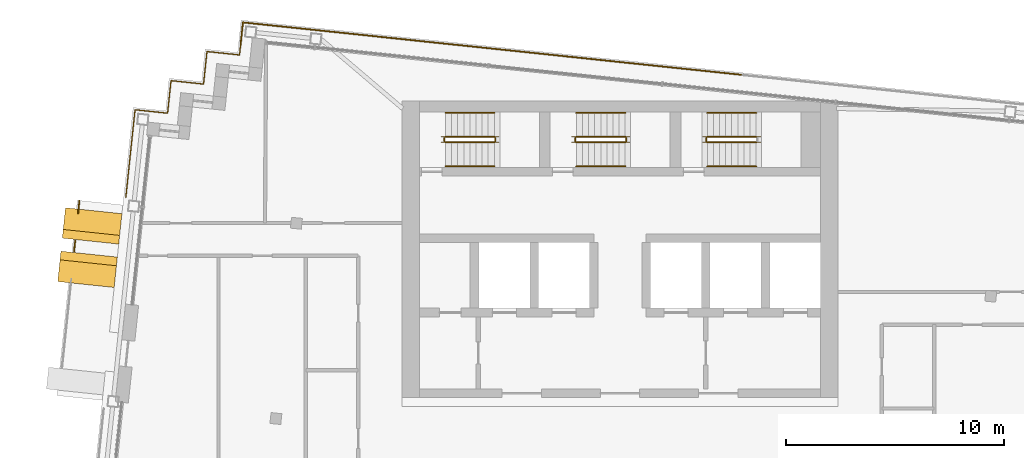
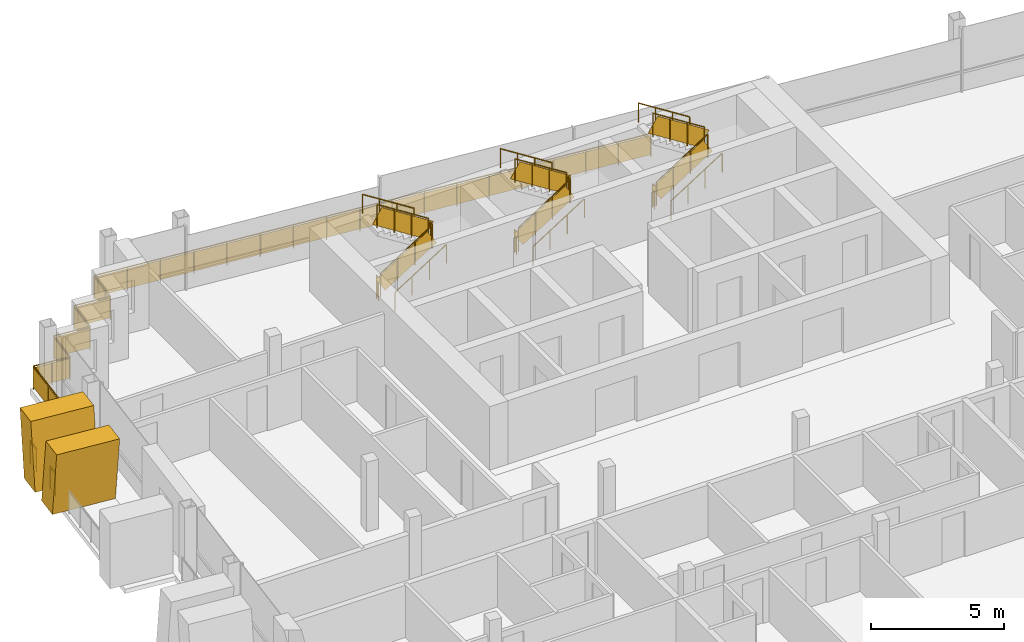
# One storey, part 15 of 16: 22 railings, 2 shading devices.
"""IFC4 building model written with IfcOpenShell, lengths in metres."""

from ifc_helpers import new_model, si_unit, direction, frame, origin, origin_2d, place, context, subcontext, project, spatial, polyline, rectangle, circle, outline, extrude, material, layer, layer_set, type_object, element, save


model = new_model("IFC4")

# Units and contexts
model_context = context("Model", 3, precision=1e-05, world=origin(), true_north=direction((0.0, 1.0)))
body_context = subcontext(model_context, "Body", "Model", "MODEL_VIEW")
ifc_project = project(units=[si_unit("LENGTHUNIT", "METRE"), si_unit("AREAUNIT", "SQUARE_METRE"), si_unit("VOLUMEUNIT", "CUBIC_METRE"), si_unit("PLANEANGLEUNIT", "RADIAN"), si_unit("MASSUNIT", "GRAM", prefix="KILO")], contexts=[model_context])

# Site, building, storey
site_placement = place(None, origin())
site = spatial("IfcSite", under=ifc_project, at=site_placement, CompositionType="ELEMENT")
building_placement = place(site_placement, origin())
building = spatial("IfcBuilding", under=site, at=building_placement, Name="Vidyagriha Tower", CompositionType="ELEMENT")
storey_placement = place(building_placement, frame((0.0, 0.0, 272.300048828125)))
storey = spatial("IfcBuildingStorey", under=building, at=storey_placement, Name="L71", CompositionType="ELEMENT", Elevation=272.300048828125)

# Railings
ifc_material_1 = material(Name="Steel ASTM A500 Grade C black painted", Category="steel")
railing_type_1 = type_object("IfcRailingType", Name="Balcony guard 1100", PredefinedType="BALUSTRADE", material=ifc_material_1)
railing_1_placement = place(storey_placement, frame((-24.7763671875, 15.435302734375, 0.0)))
element("IfcRailing", 1, at=railing_1_placement, inside=storey, type_object=railing_type_1, Name="Balcony guard L71 R14.1-1", PredefinedType="BALUSTRADE", context=body_context, shape_type="SweptSolid", body=[
    extrude(circle(Radius=0.02490234375, at=origin_2d()), frame((0.0, 0.0, 1.0751953125), z_axis=(-0.10472737475, -0.994500968817, 0.0), x_axis=(0.994500968817, -0.10472737475, 0.0)), (0.0, 0.0, 1.0), 0.5966796875),
    extrude(circle(Radius=0.02001953125, at=origin_2d()), origin(), (0.0, 0.0, 1.0), 1.050048828125),
    extrude(circle(Radius=0.02001953125, at=origin_2d()), frame((-0.0625, -0.593505859375, 0.0)), (0.0, 0.0, 1.0), 1.050048828125),
    extrude(rectangle(XDim=0.010009765625, YDim=0.900146484375, at=origin_2d()), frame((0.0, 0.0, 0.550048828125), z_axis=(-0.10472737475, -0.994500968817, 0.0), x_axis=(0.994500968817, -0.10472737475, 0.0)), (0.0, 0.0, 1.0), 0.5966796875),
])
railing_2_placement = place(storey_placement, frame((-24.9697265625, 13.595458984375, 0.0)))
element("IfcRailing", 2, at=railing_2_placement, inside=storey, type_object=railing_type_1, Name="Balcony guard L71 R14.1-2", PredefinedType="BALUSTRADE", context=body_context, shape_type="SweptSolid", body=[
    extrude(circle(Radius=0.02490234375, at=origin_2d()), frame((0.0, 0.0, 1.0751953125), z_axis=(-0.104964328578, -0.994475987506, 0.0), x_axis=(0.994475987506, -0.104964328578, 0.0)), (0.0, 0.0, 1.0), 0.5),
    extrude(circle(Radius=0.02001953125, at=origin_2d()), origin(), (0.0, 0.0, 1.0), 1.050048828125),
    extrude(circle(Radius=0.02001953125, at=origin_2d()), frame((-0.052490234375, -0.497314453125, 0.0)), (0.0, 0.0, 1.0), 1.050048828125),
    extrude(rectangle(XDim=0.010009765625, YDim=0.900146484375, at=origin_2d()), frame((0.0, 0.0, 0.550048828125), z_axis=(-0.104964328578, -0.994475987506, 0.0), x_axis=(0.994475987506, -0.104964328578, 0.0)), (0.0, 0.0, 1.0), 0.5),
])

# Shading devices
ifc_material_2 = material(Name="Precast concrete C40/50 with buff brick facing", Category="concrete")
ifc_layer = layer(ifc_material_2, 1.0)
ifc_layer_set = layer_set([ifc_layer], Name="Precast concrete C40/50 with buff brick facing")
shading_device_type = type_object("IfcShadingDeviceType", Name="Brick-faced blade fin arm leaning 8 degrees", PredefinedType="USERDEFINED", material=ifc_layer_set)
shading_device_1_placement = place(storey_placement, frame((-24.331298828125, 12.97509765625, 0.0), z_axis=(0.0, 0.0, 1.0), x_axis=(-0.104475959313, -0.994527412355, 0.0)))
element("IfcShadingDevice", 3, at=shading_device_1_placement, inside=storey, type_object=shading_device_type, Name="Leaning blade fin L71 R14.330a", ObjectType="BLADE FIN", PredefinedType="USERDEFINED", context=body_context, shape_type="SweptSolid", body=[
    extrude(outline(polyline([(0.0, 0.0), (1.0, 0.0), (1.39990234375, 3.0), (0.39990234375, 3.0), (0.0, 0.0)])), frame((0.0, 1.300048828125, 0.0), z_axis=(0.0, -1.0, 0.0), x_axis=(1.0, 0.0, 0.0)), (0.0, 0.0, 1.0), 2.60009765625),
])
shading_device_2_placement = place(storey_placement, frame((-24.1220703125, 14.964111328125, 0.0), z_axis=(0.0, 0.0, 1.0), x_axis=(-0.104475959313, -0.994527412355, 0.0)))
element("IfcShadingDevice", 4, at=shading_device_2_placement, inside=storey, type_object=shading_device_type, Name="Leaning blade fin L71 R14.330b", ObjectType="BLADE FIN", PredefinedType="USERDEFINED", context=body_context, shape_type="SweptSolid", body=[
    extrude(outline(polyline([(0.39990234375, 0.0), (1.39990234375, 0.0), (1.0, 3.0), (0.0, 3.0), (0.39990234375, 0.0)])), frame((0.0, 1.300048828125, 0.0), z_axis=(0.0, -1.0, 0.0), x_axis=(1.0, 0.0, 0.0)), (0.0, 0.0, 1.0), 2.60009765625),
])

# Railings
ifc_material_3 = material(Name="Steel ASTM A500 Grade C black painted", Category="steel")
railing_type_2 = type_object("IfcRailingType", Name="Gallery guard 1100", PredefinedType="GUARDRAIL", material=ifc_material_3)
railing_3_placement = place(storey_placement, frame((-22.650390625, 15.57373046875, 0.0)))
element("IfcRailing", 5, at=railing_3_placement, inside=storey, type_object=railing_type_2, Name="Gallery guard L71 4", PredefinedType="GUARDRAIL", context=body_context, shape_type="SweptSolid", body=[
    extrude(circle(Radius=0.02490234375, at=origin_2d()), frame((0.0, 0.0, 1.0751953125), z_axis=(0.104546370699, 0.994520013058, 0.0), x_axis=(-0.994520013058, 0.104546370699, 0.0)), (0.0, 0.0, 1.0), 4.0400390625),
    extrude(circle(Radius=0.02490234375, at=origin_2d()), frame((0.42236328125, 4.017822265625, 1.0751953125), z_axis=(0.994526834051, -0.104481464157, 0.0), x_axis=(0.104481464157, 0.994526834051, 0.0)), (0.0, 0.0, 1.0), 1.500244140625),
    extrude(circle(Radius=0.02490234375, at=origin_2d()), frame((1.914306640625, 3.861083984375, 1.0751953125), z_axis=(0.104498377516, 0.994525057048, 0.0), x_axis=(-0.994525057048, 0.104498377516, 0.0)), (0.0, 0.0, 1.0), 1.5),
    extrude(circle(Radius=0.02490234375, at=origin_2d()), frame((2.071044921875, 5.352783203125, 1.0751953125), z_axis=(0.994525057048, -0.104498377516, 0.0), x_axis=(0.104498377516, 0.994525057048, 0.0)), (0.0, 0.0, 1.0), 1.5),
    extrude(circle(Radius=0.02490234375, at=origin_2d()), frame((3.562744140625, 5.196044921875, 1.0751953125), z_axis=(0.104498377516, 0.994525057048, 0.0), x_axis=(-0.994525057048, 0.104498377516, 0.0)), (0.0, 0.0, 1.0), 1.5),
    extrude(circle(Radius=0.02490234375, at=origin_2d()), frame((3.719482421875, 6.687744140625, 1.0751953125), z_axis=(0.994525057048, -0.104498377516, 0.0), x_axis=(0.104498377516, 0.994525057048, 0.0)), (0.0, 0.0, 1.0), 1.5),
    extrude(circle(Radius=0.02490234375, at=origin_2d()), frame((5.211181640625, 6.531005859375, 1.0751953125), z_axis=(0.10449150849, 0.994525778778, 0.0), x_axis=(-0.994525778778, 0.10449150849, 0.0)), (0.0, 0.0, 1.0), 0.460205078125),
    extrude(circle(Radius=0.02001953125, at=origin_2d()), origin(), (0.0, 0.0, 1.0), 1.050048828125),
    extrude(circle(Radius=0.02001953125, at=origin_2d()), frame((0.140869140625, 1.33935546875, 0.0)), (0.0, 0.0, 1.0), 1.050048828125),
    extrude(circle(Radius=0.02001953125, at=origin_2d()), frame((0.281494140625, 2.678466796875, 0.0)), (0.0, 0.0, 1.0), 1.050048828125),
    extrude(circle(Radius=0.02001953125, at=origin_2d()), frame((0.42236328125, 4.017822265625, 0.0)), (0.0, 0.0, 1.0), 1.050048828125),
    extrude(circle(Radius=0.02001953125, at=origin_2d()), frame((1.16845703125, 3.939453125, 0.0)), (0.0, 0.0, 1.0), 1.050048828125),
    extrude(circle(Radius=0.02001953125, at=origin_2d()), frame((1.914306640625, 3.861083984375, 0.0)), (0.0, 0.0, 1.0), 1.050048828125),
    extrude(circle(Radius=0.02001953125, at=origin_2d()), frame((2.071044921875, 5.352783203125, 0.0)), (0.0, 0.0, 1.0), 1.050048828125),
    extrude(circle(Radius=0.02001953125, at=origin_2d()), frame((3.562744140625, 5.196044921875, 0.0)), (0.0, 0.0, 1.0), 1.050048828125),
    extrude(circle(Radius=0.02001953125, at=origin_2d()), frame((3.719482421875, 6.687744140625, 0.0)), (0.0, 0.0, 1.0), 1.050048828125),
    extrude(circle(Radius=0.02001953125, at=origin_2d()), frame((5.211181640625, 6.531005859375, 0.0)), (0.0, 0.0, 1.0), 1.050048828125),
    extrude(circle(Radius=0.02001953125, at=origin_2d()), frame((5.25927734375, 6.98876953125, 0.0)), (0.0, 0.0, 1.0), 1.050048828125),
    extrude(rectangle(XDim=0.010009765625, YDim=0.900146484375, at=origin_2d()), frame((0.0, 0.0, 0.550048828125), z_axis=(0.104546370699, 0.994520013058, 0.0), x_axis=(-0.994520013058, 0.104546370699, 0.0)), (0.0, 0.0, 1.0), 4.0400390625),
    extrude(rectangle(XDim=0.010009765625, YDim=0.900146484375, at=origin_2d()), frame((0.42236328125, 4.017822265625, 0.550048828125), z_axis=(0.994526834051, -0.104481464157, 0.0), x_axis=(0.104481464157, 0.994526834051, 0.0)), (0.0, 0.0, 1.0), 1.500244140625),
    extrude(rectangle(XDim=0.010009765625, YDim=0.900146484375, at=origin_2d()), frame((1.914306640625, 3.861083984375, 0.550048828125), z_axis=(0.104498377516, 0.994525057048, 0.0), x_axis=(-0.994525057048, 0.104498377516, 0.0)), (0.0, 0.0, 1.0), 1.5),
    extrude(rectangle(XDim=0.010009765625, YDim=0.900146484375, at=origin_2d()), frame((2.071044921875, 5.352783203125, 0.550048828125), z_axis=(0.994525057048, -0.104498377516, 0.0), x_axis=(0.104498377516, 0.994525057048, 0.0)), (0.0, 0.0, 1.0), 1.5),
    extrude(rectangle(XDim=0.010009765625, YDim=0.900146484375, at=origin_2d()), frame((3.562744140625, 5.196044921875, 0.550048828125), z_axis=(0.104498377516, 0.994525057048, 0.0), x_axis=(-0.994525057048, 0.104498377516, 0.0)), (0.0, 0.0, 1.0), 1.5),
    extrude(rectangle(XDim=0.010009765625, YDim=0.900146484375, at=origin_2d()), frame((3.719482421875, 6.687744140625, 0.550048828125), z_axis=(0.994525057048, -0.104498377516, 0.0), x_axis=(0.104498377516, 0.994525057048, 0.0)), (0.0, 0.0, 1.0), 1.5),
    extrude(rectangle(XDim=0.010009765625, YDim=0.900146484375, at=origin_2d()), frame((5.211181640625, 6.531005859375, 0.550048828125), z_axis=(0.10449150849, 0.994525778778, 0.0), x_axis=(-0.994525778778, 0.10449150849, 0.0)), (0.0, 0.0, 1.0), 0.460205078125),
])
railing_4_placement = place(storey_placement, frame((-17.39111328125, 22.5625, 0.0)))
element("IfcRailing", 6, at=railing_4_placement, inside=storey, type_object=railing_type_2, Name="Gallery guard L71 5", PredefinedType="GUARDRAIL", context=body_context, shape_type="SweptSolid", body=[
    extrude(circle(Radius=0.02490234375, at=origin_2d()), frame((0.0, 0.0, 1.0751953125), z_axis=(0.104733680268, 0.994500304785, 0.0), x_axis=(-0.994500304785, 0.104733680268, 0.0)), (0.0, 0.0, 1.0), 1.03955078125),
    extrude(circle(Radius=0.02490234375, at=origin_2d()), frame((0.10888671875, 1.033935546875, 1.0751953125), z_axis=(0.994520943118, -0.104537522925, 0.0), x_axis=(0.104537522925, 0.994520943118, 0.0)), (0.0, 0.0, 1.0), 10.960205078125),
    extrude(circle(Radius=0.02001953125, at=origin_2d()), origin(), (0.0, 0.0, 1.0), 1.050048828125),
    extrude(circle(Radius=0.02001953125, at=origin_2d()), frame((0.10888671875, 1.033935546875, 0.0)), (0.0, 0.0, 1.0), 1.050048828125),
    extrude(circle(Radius=0.02001953125, at=origin_2d()), frame((1.471435546875, 0.890625, 0.0)), (0.0, 0.0, 1.0), 1.050048828125),
    extrude(circle(Radius=0.02001953125, at=origin_2d()), frame((2.833984375, 0.74755859375, 0.0)), (0.0, 0.0, 1.0), 1.050048828125),
    extrude(circle(Radius=0.02001953125, at=origin_2d()), frame((4.196533203125, 0.604248046875, 0.0)), (0.0, 0.0, 1.0), 1.050048828125),
    extrude(circle(Radius=0.02001953125, at=origin_2d()), frame((5.55908203125, 0.4609375, 0.0)), (0.0, 0.0, 1.0), 1.050048828125),
    extrude(circle(Radius=0.02001953125, at=origin_2d()), frame((6.92138671875, 0.31787109375, 0.0)), (0.0, 0.0, 1.0), 1.050048828125),
    extrude(circle(Radius=0.02001953125, at=origin_2d()), frame((8.283935546875, 0.174560546875, 0.0)), (0.0, 0.0, 1.0), 1.050048828125),
    extrude(circle(Radius=0.02001953125, at=origin_2d()), frame((9.646484375, 0.031494140625, 0.0)), (0.0, 0.0, 1.0), 1.050048828125),
    extrude(circle(Radius=0.02001953125, at=origin_2d()), frame((11.009033203125, -0.11181640625, 0.0)), (0.0, 0.0, 1.0), 1.050048828125),
    extrude(rectangle(XDim=0.010009765625, YDim=0.900146484375, at=origin_2d()), frame((0.0, 0.0, 0.550048828125), z_axis=(0.104733680268, 0.994500304785, 0.0), x_axis=(-0.994500304785, 0.104733680268, 0.0)), (0.0, 0.0, 1.0), 1.03955078125),
    extrude(rectangle(XDim=0.010009765625, YDim=0.900146484375, at=origin_2d()), frame((0.10888671875, 1.033935546875, 0.550048828125), z_axis=(0.994520943118, -0.104537522925, 0.0), x_axis=(0.104537522925, 0.994520943118, 0.0)), (0.0, 0.0, 1.0), 10.960205078125),
])
railing_5_placement = place(storey_placement, frame((-6.382080078125, 22.45068359375, 0.0)))
element("IfcRailing", 7, at=railing_5_placement, inside=storey, type_object=railing_type_2, Name="Gallery guard L71 6", PredefinedType="GUARDRAIL", context=body_context, shape_type="SweptSolid", body=[
    extrude(circle(Radius=0.02490234375, at=origin_2d()), frame((0.0, 0.0, 1.0751953125), z_axis=(0.994523609071, -0.104512157188, 0.0), x_axis=(0.104512157188, 0.994523609071, 0.0)), (0.0, 0.0, 1.0), 12.0),
    extrude(circle(Radius=0.02001953125, at=origin_2d()), origin(), (0.0, 0.0, 1.0), 1.050048828125),
    extrude(circle(Radius=0.02001953125, at=origin_2d()), frame((1.325927734375, -0.139404296875, 0.0)), (0.0, 0.0, 1.0), 1.050048828125),
    extrude(circle(Radius=0.02001953125, at=origin_2d()), frame((2.652099609375, -0.27880859375, 0.0)), (0.0, 0.0, 1.0), 1.050048828125),
    extrude(circle(Radius=0.02001953125, at=origin_2d()), frame((3.97802734375, -0.41796875, 0.0)), (0.0, 0.0, 1.0), 1.050048828125),
    extrude(circle(Radius=0.02001953125, at=origin_2d()), frame((5.30419921875, -0.557373046875, 0.0)), (0.0, 0.0, 1.0), 1.050048828125),
    extrude(circle(Radius=0.02001953125, at=origin_2d()), frame((6.630126953125, -0.69677734375, 0.0)), (0.0, 0.0, 1.0), 1.050048828125),
    extrude(circle(Radius=0.02001953125, at=origin_2d()), frame((7.956298828125, -0.836181640625, 0.0)), (0.0, 0.0, 1.0), 1.050048828125),
    extrude(circle(Radius=0.02001953125, at=origin_2d()), frame((9.2822265625, -0.975341796875, 0.0)), (0.0, 0.0, 1.0), 1.050048828125),
    extrude(circle(Radius=0.02001953125, at=origin_2d()), frame((10.6083984375, -1.11474609375, 0.0)), (0.0, 0.0, 1.0), 1.050048828125),
    extrude(circle(Radius=0.02001953125, at=origin_2d()), frame((11.934326171875, -1.254150390625, 0.0)), (0.0, 0.0, 1.0), 1.050048828125),
    extrude(rectangle(XDim=0.010009765625, YDim=0.900146484375, at=origin_2d()), frame((0.0, 0.0, 0.550048828125), z_axis=(0.994523609071, -0.104512157188, 0.0), x_axis=(0.104512157188, 0.994523609071, 0.0)), (0.0, 0.0, 1.0), 12.0),
])
ifc_material_4 = material(Name="Steel ASTM A500 Grade C", Category="steel")
railing_type_3 = type_object("IfcRailingType", Name="Stair guard 1100 mm, steel balustrade", PredefinedType="GUARDRAIL", material=ifc_material_4)
railing_6_placement = place(storey_placement, frame((-8.0, 18.10009765625, 0.177734375)))
element("IfcRailing", 8, at=railing_6_placement, inside=storey, type_object=railing_type_3, Name="L71 ST1 stair guard 1", PredefinedType="GUARDRAIL", context=body_context, shape_type="SweptSolid", body=[
    extrude(circle(Radius=0.02392578125, at=origin_2d()), frame((0.0, 0.0, 1.076171875), z_axis=(0.8442293374, 0.0, 0.53598211339), x_axis=(0.0, 1.0, 0.0)), (0.0, 0.0, 1.0), 2.6533203125),
    extrude(circle(Radius=0.02099609375, at=origin_2d()), origin(), (0.0, 0.0, 1.0), 1.052001953125),
    extrude(circle(Radius=0.02099609375, at=origin_2d()), frame((0.74658203125, 0.0, 0.47412109375)), (0.0, 0.0, 1.0), 1.052001953125),
    extrude(circle(Radius=0.02099609375, at=origin_2d()), frame((1.493408203125, 0.0, 0.947998046875)), (0.0, 0.0, 1.0), 1.052001953125),
    extrude(circle(Radius=0.02099609375, at=origin_2d()), frame((2.239990234375, 0.0, 1.422119140625)), (0.0, 0.0, 1.0), 1.052001953125),
    extrude(rectangle(XDim=0.010009765625, YDim=0.761474609375, at=origin_2d()), frame((0.0, 0.0, 0.551025390625), z_axis=(0.8442293374, 0.0, 0.53598211339), x_axis=(0.0, 1.0, 0.0)), (0.0, 0.0, 1.0), 2.6533203125),
])
railing_7_placement = place(storey_placement, frame((-5.7099609375, 18.14990234375, 1.599853515625)))
element("IfcRailing", 9, at=railing_7_placement, inside=storey, type_object=railing_type_3, Name="L71 ST1 stair guard 2", PredefinedType="GUARDRAIL", context=body_context, shape_type="SweptSolid", body=[
    extrude(circle(Radius=0.02392578125, at=origin_2d()), frame((0.0, 0.0, 1.076171875), z_axis=(0.0, 1.0, 0.0), x_axis=(-1.0, 0.0, 0.0)), (0.0, 0.0, 1.0), 0.150146484375),
    extrude(circle(Radius=0.02099609375, at=origin_2d()), origin(), (0.0, 0.0, 1.0), 1.052001953125),
    extrude(circle(Radius=0.02099609375, at=origin_2d()), frame((0.0, 0.150146484375, 0.0)), (0.0, 0.0, 1.0), 1.052001953125),
    extrude(rectangle(XDim=0.010009765625, YDim=0.902099609375, at=origin_2d()), frame((0.0, 0.0, 0.551025390625), z_axis=(0.0, 1.0, 0.0), x_axis=(-1.0, 0.0, 0.0)), (0.0, 0.0, 1.0), 0.150146484375),
])
railing_8_placement = place(storey_placement, frame((-5.760009765625, 18.35009765625, 1.77783203125)))
element("IfcRailing", 10, at=railing_8_placement, inside=storey, type_object=railing_type_3, Name="L71 ST1 stair guard 3", PredefinedType="GUARDRAIL", context=body_context, shape_type="SweptSolid", body=[
    extrude(circle(Radius=0.02392578125, at=origin_2d()), frame((0.0, 0.0, 1.076171875), z_axis=(-0.8442293374, 0.0, 0.53598211339), x_axis=(0.0, -1.0, 0.0)), (0.0, 0.0, 1.0), 2.6533203125),
    extrude(circle(Radius=0.02099609375, at=origin_2d()), origin(), (0.0, 0.0, 1.0), 1.052001953125),
    extrude(circle(Radius=0.02099609375, at=origin_2d()), frame((-0.74658203125, 0.0, 0.47412109375)), (0.0, 0.0, 1.0), 1.052001953125),
    extrude(circle(Radius=0.02099609375, at=origin_2d()), frame((-1.493408203125, 0.0, 0.947998046875)), (0.0, 0.0, 1.0), 1.052001953125),
    extrude(circle(Radius=0.02099609375, at=origin_2d()), frame((-2.239990234375, 0.0, 1.422119140625)), (0.0, 0.0, 1.0), 1.052001953125),
    extrude(rectangle(XDim=0.010009765625, YDim=0.761474609375, at=origin_2d()), frame((0.0, 0.0, 0.551025390625), z_axis=(-0.8442293374, 0.0, 0.53598211339), x_axis=(0.0, -1.0, 0.0)), (0.0, 0.0, 1.0), 2.6533203125),
])
railing_9_placement = place(storey_placement, frame((-8.050048828125, 18.14990234375, 0.0)))
element("IfcRailing", 11, at=railing_9_placement, inside=storey, type_object=railing_type_3, Name="L71 ST1 stair guard 4", PredefinedType="GUARDRAIL", context=body_context, shape_type="SweptSolid", body=[
    extrude(circle(Radius=0.02392578125, at=origin_2d()), frame((0.0, 0.0, 1.076171875), z_axis=(0.0, 1.0, 0.0), x_axis=(-1.0, 0.0, 0.0)), (0.0, 0.0, 1.0), 0.150146484375),
    extrude(circle(Radius=0.02099609375, at=origin_2d()), origin(), (0.0, 0.0, 1.0), 1.052001953125),
    extrude(circle(Radius=0.02099609375, at=origin_2d()), frame((0.0, 0.150146484375, 0.0)), (0.0, 0.0, 1.0), 1.052001953125),
    extrude(rectangle(XDim=0.010009765625, YDim=0.902099609375, at=origin_2d()), frame((0.0, 0.0, 0.551025390625), z_axis=(0.0, 1.0, 0.0), x_axis=(-1.0, 0.0, 0.0)), (0.0, 0.0, 1.0), 0.150146484375),
])
railing_10_placement = place(storey_placement, frame((-2.0, 18.10009765625, 0.177734375)))
element("IfcRailing", 12, at=railing_10_placement, inside=storey, type_object=railing_type_3, Name="L71 ST2 stair guard 1", PredefinedType="GUARDRAIL", context=body_context, shape_type="SweptSolid", body=[
    extrude(circle(Radius=0.02392578125, at=origin_2d()), frame((0.0, 0.0, 1.076171875), z_axis=(0.8442293374, 0.0, 0.53598211339), x_axis=(0.0, 1.0, 0.0)), (0.0, 0.0, 1.0), 2.6533203125),
    extrude(circle(Radius=0.02099609375, at=origin_2d()), origin(), (0.0, 0.0, 1.0), 1.052001953125),
    extrude(circle(Radius=0.02099609375, at=origin_2d()), frame((0.74658203125, 0.0, 0.47412109375)), (0.0, 0.0, 1.0), 1.052001953125),
    extrude(circle(Radius=0.02099609375, at=origin_2d()), frame((1.493408203125, 0.0, 0.947998046875)), (0.0, 0.0, 1.0), 1.052001953125),
    extrude(circle(Radius=0.02099609375, at=origin_2d()), frame((2.239990234375, 0.0, 1.422119140625)), (0.0, 0.0, 1.0), 1.052001953125),
    extrude(rectangle(XDim=0.010009765625, YDim=0.761474609375, at=origin_2d()), frame((0.0, 0.0, 0.551025390625), z_axis=(0.8442293374, 0.0, 0.53598211339), x_axis=(0.0, 1.0, 0.0)), (0.0, 0.0, 1.0), 2.6533203125),
])
railing_11_placement = place(storey_placement, frame((0.2900390625, 18.14990234375, 1.599853515625)))
element("IfcRailing", 13, at=railing_11_placement, inside=storey, type_object=railing_type_3, Name="L71 ST2 stair guard 2", PredefinedType="GUARDRAIL", context=body_context, shape_type="SweptSolid", body=[
    extrude(circle(Radius=0.02392578125, at=origin_2d()), frame((0.0, 0.0, 1.076171875), z_axis=(0.0, 1.0, 0.0), x_axis=(-1.0, 0.0, 0.0)), (0.0, 0.0, 1.0), 0.150146484375),
    extrude(circle(Radius=0.02099609375, at=origin_2d()), origin(), (0.0, 0.0, 1.0), 1.052001953125),
    extrude(circle(Radius=0.02099609375, at=origin_2d()), frame((0.0, 0.150146484375, 0.0)), (0.0, 0.0, 1.0), 1.052001953125),
    extrude(rectangle(XDim=0.010009765625, YDim=0.902099609375, at=origin_2d()), frame((0.0, 0.0, 0.551025390625), z_axis=(0.0, 1.0, 0.0), x_axis=(-1.0, 0.0, 0.0)), (0.0, 0.0, 1.0), 0.150146484375),
])
railing_12_placement = place(storey_placement, frame((0.239990234375, 18.35009765625, 1.77783203125)))
element("IfcRailing", 14, at=railing_12_placement, inside=storey, type_object=railing_type_3, Name="L71 ST2 stair guard 3", PredefinedType="GUARDRAIL", context=body_context, shape_type="SweptSolid", body=[
    extrude(circle(Radius=0.02392578125, at=origin_2d()), frame((0.0, 0.0, 1.076171875), z_axis=(-0.8442293374, 0.0, 0.53598211339), x_axis=(0.0, -1.0, 0.0)), (0.0, 0.0, 1.0), 2.6533203125),
    extrude(circle(Radius=0.02099609375, at=origin_2d()), origin(), (0.0, 0.0, 1.0), 1.052001953125),
    extrude(circle(Radius=0.02099609375, at=origin_2d()), frame((-0.74658203125, 0.0, 0.47412109375)), (0.0, 0.0, 1.0), 1.052001953125),
    extrude(circle(Radius=0.02099609375, at=origin_2d()), frame((-1.493408203125, 0.0, 0.947998046875)), (0.0, 0.0, 1.0), 1.052001953125),
    extrude(circle(Radius=0.02099609375, at=origin_2d()), frame((-2.239990234375, 0.0, 1.422119140625)), (0.0, 0.0, 1.0), 1.052001953125),
    extrude(rectangle(XDim=0.010009765625, YDim=0.761474609375, at=origin_2d()), frame((0.0, 0.0, 0.551025390625), z_axis=(-0.8442293374, 0.0, 0.53598211339), x_axis=(0.0, -1.0, 0.0)), (0.0, 0.0, 1.0), 2.6533203125),
])
railing_13_placement = place(storey_placement, frame((-2.050048828125, 18.14990234375, 0.0)))
element("IfcRailing", 15, at=railing_13_placement, inside=storey, type_object=railing_type_3, Name="L71 ST2 stair guard 4", PredefinedType="GUARDRAIL", context=body_context, shape_type="SweptSolid", body=[
    extrude(circle(Radius=0.02392578125, at=origin_2d()), frame((0.0, 0.0, 1.076171875), z_axis=(0.0, 1.0, 0.0), x_axis=(-1.0, 0.0, 0.0)), (0.0, 0.0, 1.0), 0.150146484375),
    extrude(circle(Radius=0.02099609375, at=origin_2d()), origin(), (0.0, 0.0, 1.0), 1.052001953125),
    extrude(circle(Radius=0.02099609375, at=origin_2d()), frame((0.0, 0.150146484375, 0.0)), (0.0, 0.0, 1.0), 1.052001953125),
    extrude(rectangle(XDim=0.010009765625, YDim=0.902099609375, at=origin_2d()), frame((0.0, 0.0, 0.551025390625), z_axis=(0.0, 1.0, 0.0), x_axis=(-1.0, 0.0, 0.0)), (0.0, 0.0, 1.0), 0.150146484375),
])
railing_14_placement = place(storey_placement, frame((4.0, 18.10009765625, 0.177734375)))
element("IfcRailing", 16, at=railing_14_placement, inside=storey, type_object=railing_type_3, Name="L71 ST3 stair guard 1", PredefinedType="GUARDRAIL", context=body_context, shape_type="SweptSolid", body=[
    extrude(circle(Radius=0.02392578125, at=origin_2d()), frame((0.0, 0.0, 1.076171875), z_axis=(0.8442293374, 0.0, 0.53598211339), x_axis=(0.0, 1.0, 0.0)), (0.0, 0.0, 1.0), 2.6533203125),
    extrude(circle(Radius=0.02099609375, at=origin_2d()), origin(), (0.0, 0.0, 1.0), 1.052001953125),
    extrude(circle(Radius=0.02099609375, at=origin_2d()), frame((0.74658203125, 0.0, 0.47412109375)), (0.0, 0.0, 1.0), 1.052001953125),
    extrude(circle(Radius=0.02099609375, at=origin_2d()), frame((1.493408203125, 0.0, 0.947998046875)), (0.0, 0.0, 1.0), 1.052001953125),
    extrude(circle(Radius=0.02099609375, at=origin_2d()), frame((2.239990234375, 0.0, 1.422119140625)), (0.0, 0.0, 1.0), 1.052001953125),
    extrude(rectangle(XDim=0.010009765625, YDim=0.761474609375, at=origin_2d()), frame((0.0, 0.0, 0.551025390625), z_axis=(0.8442293374, 0.0, 0.53598211339), x_axis=(0.0, 1.0, 0.0)), (0.0, 0.0, 1.0), 2.6533203125),
])
railing_15_placement = place(storey_placement, frame((6.239990234375, 18.35009765625, 1.77783203125)))
element("IfcRailing", 17, at=railing_15_placement, inside=storey, type_object=railing_type_3, Name="L71 ST3 stair guard 3", PredefinedType="GUARDRAIL", context=body_context, shape_type="SweptSolid", body=[
    extrude(circle(Radius=0.02392578125, at=origin_2d()), frame((0.0, 0.0, 1.076171875), z_axis=(-0.8442293374, 0.0, 0.53598211339), x_axis=(0.0, -1.0, 0.0)), (0.0, 0.0, 1.0), 2.6533203125),
    extrude(circle(Radius=0.02099609375, at=origin_2d()), origin(), (0.0, 0.0, 1.0), 1.052001953125),
    extrude(circle(Radius=0.02099609375, at=origin_2d()), frame((-0.74658203125, 0.0, 0.47412109375)), (0.0, 0.0, 1.0), 1.052001953125),
    extrude(circle(Radius=0.02099609375, at=origin_2d()), frame((-1.493408203125, 0.0, 0.947998046875)), (0.0, 0.0, 1.0), 1.052001953125),
    extrude(circle(Radius=0.02099609375, at=origin_2d()), frame((-2.239990234375, 0.0, 1.422119140625)), (0.0, 0.0, 1.0), 1.052001953125),
    extrude(rectangle(XDim=0.010009765625, YDim=0.761474609375, at=origin_2d()), frame((0.0, 0.0, 0.551025390625), z_axis=(-0.8442293374, 0.0, 0.53598211339), x_axis=(0.0, -1.0, 0.0)), (0.0, 0.0, 1.0), 2.6533203125),
])
railing_16_placement = place(storey_placement, frame((3.949951171875, 18.14990234375, 0.0)))
element("IfcRailing", 18, at=railing_16_placement, inside=storey, type_object=railing_type_3, Name="L71 ST3 stair guard 4", PredefinedType="GUARDRAIL", context=body_context, shape_type="SweptSolid", body=[
    extrude(circle(Radius=0.02392578125, at=origin_2d()), frame((0.0, 0.0, 1.076171875), z_axis=(0.0, 1.0, 0.0), x_axis=(-1.0, 0.0, 0.0)), (0.0, 0.0, 1.0), 0.150146484375),
    extrude(circle(Radius=0.02099609375, at=origin_2d()), origin(), (0.0, 0.0, 1.0), 1.052001953125),
    extrude(circle(Radius=0.02099609375, at=origin_2d()), frame((0.0, 0.150146484375, 0.0)), (0.0, 0.0, 1.0), 1.052001953125),
    extrude(rectangle(XDim=0.010009765625, YDim=0.902099609375, at=origin_2d()), frame((0.0, 0.0, 0.551025390625), z_axis=(0.0, 1.0, 0.0), x_axis=(-1.0, 0.0, 0.0)), (0.0, 0.0, 1.0), 0.150146484375),
])
ifc_material_5 = material(Name="Steel ASTM A500 Grade C", Category="steel")
railing_type_4 = type_object("IfcRailingType", Name="Stair handrail 900 mm, steel", PredefinedType="HANDRAIL", material=ifc_material_5)
railing_17_placement = place(storey_placement, frame((-8.0, 17.0, 0.177734375)))
element("IfcRailing", 19, at=railing_17_placement, inside=storey, type_object=railing_type_4, Name="L71 ST1 stair handrail 1", PredefinedType="HANDRAIL", context=body_context, shape_type="SweptSolid", body=[
    extrude(circle(Radius=0.02392578125, at=origin_2d()), frame((0.0, 0.0, 0.8759765625), z_axis=(0.8442293374, 0.0, 0.53598211339), x_axis=(0.0, 1.0, 0.0)), (0.0, 0.0, 1.0), 2.6533203125),
    extrude(circle(Radius=0.02099609375, at=origin_2d()), origin(), (0.0, 0.0, 1.0), 0.851806640625),
    extrude(circle(Radius=0.02099609375, at=origin_2d()), frame((0.74658203125, 0.0, 0.47412109375)), (0.0, 0.0, 1.0), 0.851806640625),
    extrude(circle(Radius=0.02099609375, at=origin_2d()), frame((1.493408203125, 0.0, 0.947998046875)), (0.0, 0.0, 1.0), 0.851806640625),
    extrude(circle(Radius=0.02099609375, at=origin_2d()), frame((2.239990234375, 0.0, 1.422119140625)), (0.0, 0.0, 1.0), 0.851806640625),
])
railing_18_placement = place(storey_placement, frame((-5.760009765625, 19.449951171875, 1.77783203125)))
element("IfcRailing", 20, at=railing_18_placement, inside=storey, type_object=railing_type_4, Name="L71 ST1 stair handrail 2", PredefinedType="HANDRAIL", context=body_context, shape_type="SweptSolid", body=[
    extrude(circle(Radius=0.02392578125, at=origin_2d()), frame((0.0, 0.0, 0.8759765625), z_axis=(-0.8442293374, 0.0, 0.53598211339), x_axis=(0.0, -1.0, 0.0)), (0.0, 0.0, 1.0), 2.6533203125),
    extrude(circle(Radius=0.02099609375, at=origin_2d()), origin(), (0.0, 0.0, 1.0), 0.851806640625),
    extrude(circle(Radius=0.02099609375, at=origin_2d()), frame((-0.74658203125, 0.0, 0.47412109375)), (0.0, 0.0, 1.0), 0.851806640625),
    extrude(circle(Radius=0.02099609375, at=origin_2d()), frame((-1.493408203125, 0.0, 0.947998046875)), (0.0, 0.0, 1.0), 0.851806640625),
    extrude(circle(Radius=0.02099609375, at=origin_2d()), frame((-2.239990234375, 0.0, 1.422119140625)), (0.0, 0.0, 1.0), 0.851806640625),
])
railing_19_placement = place(storey_placement, frame((-2.0, 17.0, 0.177734375)))
element("IfcRailing", 21, at=railing_19_placement, inside=storey, type_object=railing_type_4, Name="L71 ST2 stair handrail 1", PredefinedType="HANDRAIL", context=body_context, shape_type="SweptSolid", body=[
    extrude(circle(Radius=0.02392578125, at=origin_2d()), frame((0.0, 0.0, 0.8759765625), z_axis=(0.8442293374, 0.0, 0.53598211339), x_axis=(0.0, 1.0, 0.0)), (0.0, 0.0, 1.0), 2.6533203125),
    extrude(circle(Radius=0.02099609375, at=origin_2d()), origin(), (0.0, 0.0, 1.0), 0.851806640625),
    extrude(circle(Radius=0.02099609375, at=origin_2d()), frame((0.74658203125, 0.0, 0.47412109375)), (0.0, 0.0, 1.0), 0.851806640625),
    extrude(circle(Radius=0.02099609375, at=origin_2d()), frame((1.493408203125, 0.0, 0.947998046875)), (0.0, 0.0, 1.0), 0.851806640625),
    extrude(circle(Radius=0.02099609375, at=origin_2d()), frame((2.239990234375, 0.0, 1.422119140625)), (0.0, 0.0, 1.0), 0.851806640625),
])
railing_20_placement = place(storey_placement, frame((0.239990234375, 19.449951171875, 1.77783203125)))
element("IfcRailing", 22, at=railing_20_placement, inside=storey, type_object=railing_type_4, Name="L71 ST2 stair handrail 2", PredefinedType="HANDRAIL", context=body_context, shape_type="SweptSolid", body=[
    extrude(circle(Radius=0.02392578125, at=origin_2d()), frame((0.0, 0.0, 0.8759765625), z_axis=(-0.8442293374, 0.0, 0.53598211339), x_axis=(0.0, -1.0, 0.0)), (0.0, 0.0, 1.0), 2.6533203125),
    extrude(circle(Radius=0.02099609375, at=origin_2d()), origin(), (0.0, 0.0, 1.0), 0.851806640625),
    extrude(circle(Radius=0.02099609375, at=origin_2d()), frame((-0.74658203125, 0.0, 0.47412109375)), (0.0, 0.0, 1.0), 0.851806640625),
    extrude(circle(Radius=0.02099609375, at=origin_2d()), frame((-1.493408203125, 0.0, 0.947998046875)), (0.0, 0.0, 1.0), 0.851806640625),
    extrude(circle(Radius=0.02099609375, at=origin_2d()), frame((-2.239990234375, 0.0, 1.422119140625)), (0.0, 0.0, 1.0), 0.851806640625),
])
railing_21_placement = place(storey_placement, frame((4.0, 17.0, 0.177734375)))
element("IfcRailing", 23, at=railing_21_placement, inside=storey, type_object=railing_type_4, Name="L71 ST3 stair handrail 1", PredefinedType="HANDRAIL", context=body_context, shape_type="SweptSolid", body=[
    extrude(circle(Radius=0.02392578125, at=origin_2d()), frame((0.0, 0.0, 0.8759765625), z_axis=(0.8442293374, 0.0, 0.53598211339), x_axis=(0.0, 1.0, 0.0)), (0.0, 0.0, 1.0), 2.6533203125),
    extrude(circle(Radius=0.02099609375, at=origin_2d()), origin(), (0.0, 0.0, 1.0), 0.851806640625),
    extrude(circle(Radius=0.02099609375, at=origin_2d()), frame((0.74658203125, 0.0, 0.47412109375)), (0.0, 0.0, 1.0), 0.851806640625),
    extrude(circle(Radius=0.02099609375, at=origin_2d()), frame((1.493408203125, 0.0, 0.947998046875)), (0.0, 0.0, 1.0), 0.851806640625),
    extrude(circle(Radius=0.02099609375, at=origin_2d()), frame((2.239990234375, 0.0, 1.422119140625)), (0.0, 0.0, 1.0), 0.851806640625),
])
railing_22_placement = place(storey_placement, frame((6.239990234375, 19.449951171875, 1.77783203125)))
element("IfcRailing", 24, at=railing_22_placement, inside=storey, type_object=railing_type_4, Name="L71 ST3 stair handrail 2", PredefinedType="HANDRAIL", context=body_context, shape_type="SweptSolid", body=[
    extrude(circle(Radius=0.02392578125, at=origin_2d()), frame((0.0, 0.0, 0.8759765625), z_axis=(-0.8442293374, 0.0, 0.53598211339), x_axis=(0.0, -1.0, 0.0)), (0.0, 0.0, 1.0), 2.6533203125),
    extrude(circle(Radius=0.02099609375, at=origin_2d()), origin(), (0.0, 0.0, 1.0), 0.851806640625),
    extrude(circle(Radius=0.02099609375, at=origin_2d()), frame((-0.74658203125, 0.0, 0.47412109375)), (0.0, 0.0, 1.0), 0.851806640625),
    extrude(circle(Radius=0.02099609375, at=origin_2d()), frame((-1.493408203125, 0.0, 0.947998046875)), (0.0, 0.0, 1.0), 0.851806640625),
    extrude(circle(Radius=0.02099609375, at=origin_2d()), frame((-2.239990234375, 0.0, 1.422119140625)), (0.0, 0.0, 1.0), 0.851806640625),
])

save(model, "model.ifc")
